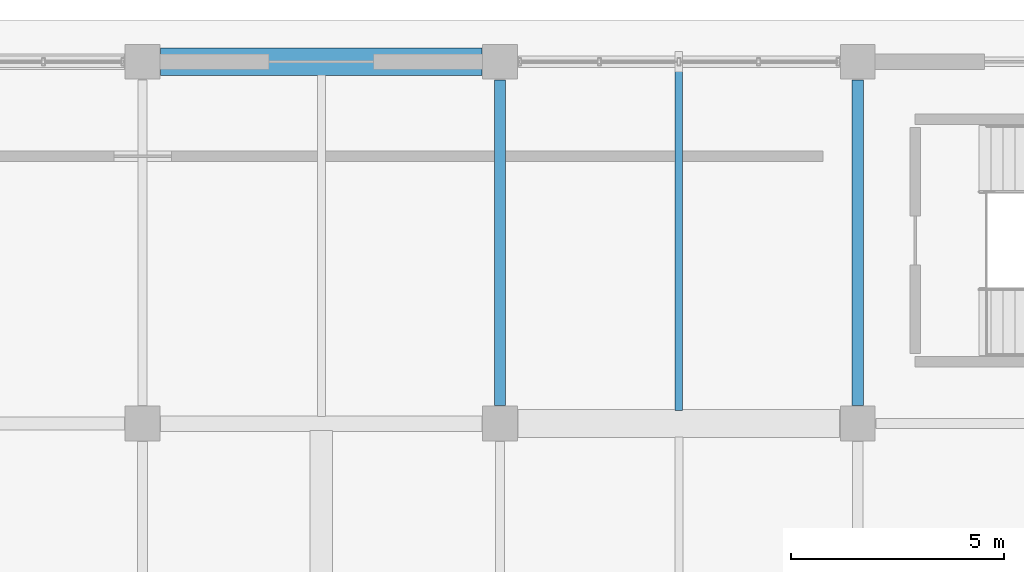
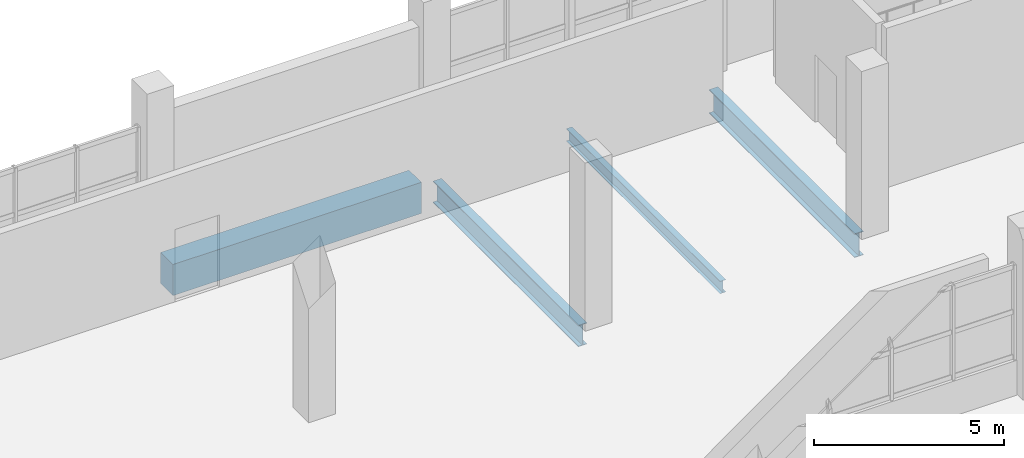
# One storey, part 68 of 107: 4 beams.
"""IFC4 building model written with IfcOpenShell, lengths in metres."""

import ifcopenshell
import ifcopenshell.guid

model = None  # the IFC model being written
_history = None  # IfcOwnerHistory: only IFC2X3 demands one
_inside = {}  # id of a spatial element -> (the spatial element, [elements in it])
_under = {}  # id of a project, library or spatial element -> (it, [spatial elements below it])
_declared = {}  # id of a project -> (the project, [libraries it declares])
_typed = {}  # id of a type object -> (the type object, [elements of that type])
_made_of = {}  # id of a material, layer set ... -> (it, [elements and type objects made of it])


def new_model(schema):
    """Start an empty IFC model of exactly this schema.

    Asked for "IFC4X3", IfcOpenShell would pick the latest addendum, in which some entities
    have other attributes; the version numbers below select the first issue.
    IFC2X3 requires an IfcOwnerHistory on every rooted entity: one is made here for all.
    """
    global model, _history
    if schema == "IFC4X3":
        model = ifcopenshell.file(schema_version=(4, 3, 0, 0))
    else:
        model = ifcopenshell.file(schema=schema)
    _inside.clear()
    _under.clear()
    _declared.clear()
    _typed.clear()
    _made_of.clear()
    _history = None
    if model.schema == "IFC2X3":
        org = make("IfcOrganization", Name="unknown")
        user = make(
            "IfcPersonAndOrganization",
            ThePerson=make("IfcPerson", FamilyName="unknown"),
            TheOrganization=org,
        )
        app = make(
            "IfcApplication",
            ApplicationDeveloper=org,
            Version="unknown",
            ApplicationFullName="unknown",
            ApplicationIdentifier="unknown",
        )
        _history = make(
            "IfcOwnerHistory",
            OwningUser=user,
            OwningApplication=app,
            ChangeAction="ADDED",
            CreationDate=0,
        )
    return model


def make(cls, **values):
    """One entity of the class cls with the attributes given. An attribute that is None is left unset."""
    return model.create_entity(
        cls, **{name: value for name, value in values.items() if value is not None}
    )


def rooted(cls, **values):
    """An entity with a GlobalId (a new one), such as an element, a storey or a relation."""
    return make(cls, GlobalId=ifcopenshell.guid.new(), OwnerHistory=_history, **values)


def si_unit(unit_type, name, prefix=None):
    """IfcSIUnit, for example si_unit("LENGTHUNIT", "METRE", prefix="MILLI")."""
    return make("IfcSIUnit", UnitType=unit_type, Prefix=prefix, Name=name)


def assignment(units):
    """IfcUnitAssignment: the units of a project."""
    return None if units is None else make("IfcUnitAssignment", Units=units)


def point(xyz):
    """IfcCartesianPoint."""
    return None if xyz is None else make("IfcCartesianPoint", Coordinates=xyz)


def direction(xyz):
    """IfcDirection."""
    return None if xyz is None else make("IfcDirection", DirectionRatios=xyz)


def frame(location, z_axis=None, x_axis=None):
    """IfcAxis2Placement3D, a coordinate frame: its origin and axes. An axis left out is left unset."""
    return make(
        "IfcAxis2Placement3D",
        Location=point(location),
        Axis=direction(z_axis),
        RefDirection=direction(x_axis),
    )


def frame_2d(location, x_axis=None):
    """IfcAxis2Placement2D, a coordinate frame in the plane: its origin and x axis."""
    return make(
        "IfcAxis2Placement2D", Location=point(location), RefDirection=direction(x_axis)
    )


def origin():
    """The frame at (0, 0, 0) with its axes left unset."""
    return frame((0.0, 0.0, 0.0))


def origin_2d():
    """The frame at (0, 0) in the plane with its x axis left unset."""
    return frame_2d((0.0, 0.0))


def place(relative_to, where):
    """IfcLocalPlacement: puts the frame where relative to a parent placement (None: the world)."""
    return make(
        "IfcLocalPlacement", PlacementRelTo=relative_to, RelativePlacement=where
    )


def context(
    kind, dimensions, precision=None, world=None, true_north=None, identifier=None
):
    """IfcGeometricRepresentationContext, for example the 3D "Model" context."""
    return make(
        "IfcGeometricRepresentationContext",
        ContextIdentifier=identifier,
        ContextType=kind,
        CoordinateSpaceDimension=dimensions,
        Precision=precision,
        WorldCoordinateSystem=world,
        TrueNorth=true_north,
    )


def subcontext(parent, identifier, kind, view, scale=None):
    """IfcGeometricRepresentationSubContext, for example "Body" below "Model"."""
    return make(
        "IfcGeometricRepresentationSubContext",
        ContextIdentifier=identifier,
        ContextType=kind,
        ParentContext=parent,
        TargetScale=scale,
        TargetView=view,
    )


def project(units=None, contexts=None):
    """IfcProject with its units and contexts."""
    return rooted(
        "IfcProject",
        Name="project",
        RepresentationContexts=contexts,
        UnitsInContext=assignment(units),
    )


def spatial(cls, under=None, at=None, **own):
    """A site, building, storey or space (cls), placed at a placement, below another one or the project."""
    s = rooted(cls, ObjectPlacement=at, **own)
    if under is not None:
        _under.setdefault(under.id(), (under, []))[1].append(s)
    return s


def profile(cls, at=None, kind="AREA", **sizes):
    """A parametric profile (cls). Its sizes go by their IFC names, for example OverallWidth=200.0."""
    return make(cls, ProfileType=kind, Position=at, **sizes)


def rectangle(**sizes):
    """IfcRectangleProfileDef."""
    return profile("IfcRectangleProfileDef", **sizes)


def i_section(**sizes):
    """IfcIShapeProfileDef."""
    return profile("IfcIShapeProfileDef", **sizes)


def extrude(swept, where, along, depth):
    """IfcExtrudedAreaSolid: the profile swept, set in the frame where, extruded along a direction by depth."""
    return make(
        "IfcExtrudedAreaSolid",
        SweptArea=swept,
        Position=where,
        ExtrudedDirection=direction(along),
        Depth=depth,
    )


def shape(context_of_items, identifier, shape_type, items):
    """IfcShapeRepresentation: the items that make up one representation, for example the "Body"."""
    return make(
        "IfcShapeRepresentation",
        ContextOfItems=context_of_items,
        RepresentationIdentifier=identifier,
        RepresentationType=shape_type,
        Items=items,
    )


def material(Name=None, Category=None):
    """IfcMaterial."""
    return make("IfcMaterial", Name=Name, Category=Category)


def material_profile(
    of_material, cross_section, Name=None, Category=None, Priority=None
):
    """IfcMaterialProfile: a cross section and its material."""
    return make(
        "IfcMaterialProfile",
        Name=Name,
        Material=of_material,
        Profile=cross_section,
        Priority=Priority,
        Category=Category,
    )


def profile_set(profiles, Name=None, composite=None):
    """IfcMaterialProfileSet."""
    return make(
        "IfcMaterialProfileSet",
        Name=Name,
        MaterialProfiles=profiles,
        CompositeProfile=composite,
    )


def made_of(thing, what):
    """Note that an element or type object is made of a material, layer set ...; save() writes the relation."""
    if what is not None:
        _made_of.setdefault(what.id(), (what, []))[1].append(thing)
    return thing


def type_object(cls, material=None, **own):
    """A type object (cls), such as IfcWallType, which elements share."""
    return made_of(rooted(cls, **own), material)


def element(
    cls,
    number,
    at=None,
    inside=None,
    cuts=None,
    type_object=None,
    material=None,
    context=None,
    identifier="Body",
    shape_type=None,
    held_by="IfcProductDefinitionShape",
    body=None,
    shapes=None,
    **own,
):
    """One element of the class cls, such as IfcWall. Its Tag is "e" and its number.

    at: its placement. inside: the storey or other place that contains it. cuts: it is an
    opening in that element (IfcRelVoidsElement). A single representation is given by context,
    identifier, shape_type and body (its items); several are given by shapes. held_by: the class
    of the entity that holds the representations. save() writes the other relations.
    """
    e = rooted(cls, Tag="e%d" % number, ObjectPlacement=at, **own)
    if body is not None:
        shapes = [shape(context, identifier, shape_type, body)]
    if shapes is not None:
        e.Representation = make(held_by, Representations=shapes)
    if inside is not None:
        _inside.setdefault(inside.id(), (inside, []))[1].append(e)
    if cuts is not None:
        rooted(
            "IfcRelVoidsElement", RelatingBuildingElement=cuts, RelatedOpeningElement=e
        )
    if type_object is not None:
        _typed.setdefault(type_object.id(), (type_object, []))[1].append(e)
    return made_of(e, material)


def aggregate(whole, parts):
    """IfcRelAggregates: a whole, such as a stair, and the parts it consists of."""
    return rooted("IfcRelAggregates", RelatingObject=whole, RelatedObjects=parts)


def save(model, path):
    """Write the relations noted so far, then the file.

    IfcRelAggregates (storeys below a building ...), IfcRelContainedInSpatialStructure (elements
    in a storey), IfcRelDefinesByType, IfcRelAssociatesMaterial and IfcRelDeclares: one each for
    every whole, place, type object, material and project.
    """
    for whole, parts in _under.values():
        aggregate(whole, parts)
    for where, things in _inside.values():
        rooted(
            "IfcRelContainedInSpatialStructure",
            RelatedElements=things,
            RelatingStructure=where,
        )
    for kind, things in _typed.values():
        rooted("IfcRelDefinesByType", RelatedObjects=things, RelatingType=kind)
    for what, things in _made_of.values():
        rooted("IfcRelAssociatesMaterial", RelatedObjects=things, RelatingMaterial=what)
    for by, libraries in _declared.values():
        rooted("IfcRelDeclares", RelatingContext=by, RelatedDefinitions=libraries)
    model.write(path)


model = new_model("IFC4")

# Units and contexts
model_context = context("Model", 3, precision=1e-05, world=origin(), true_north=direction((0.0, 1.0)))
body_context = subcontext(model_context, "Body", "Model", "MODEL_VIEW")
ifc_project = project(units=[si_unit("LENGTHUNIT", "METRE"), si_unit("AREAUNIT", "SQUARE_METRE"), si_unit("VOLUMEUNIT", "CUBIC_METRE"), si_unit("PLANEANGLEUNIT", "RADIAN"), si_unit("MASSUNIT", "GRAM", prefix="KILO")], contexts=[model_context])

# Site, building, storey
site_placement = place(None, origin())
site = spatial("IfcSite", under=ifc_project, at=site_placement, CompositionType="ELEMENT")
building_placement = place(site_placement, origin())
building = spatial("IfcBuilding", under=site, at=building_placement, Name="Solvento Point Concert Hall", CompositionType="ELEMENT")
storey_placement = place(building_placement, origin())
storey = spatial("IfcBuildingStorey", under=building, at=storey_placement, Name="L00", CompositionType="ELEMENT", Elevation=0.0)

# Beams
ifc_material_1 = material(Name="Concrete C35/45", Category="concrete")
ifc_material_profile_1 = material_profile(ifc_material_1, rectangle(XDim=0.64990234375, YDim=1.0, at=origin_2d()), Name="RC-BM-650X1000")
ifc_profile_set_1 = profile_set([ifc_material_profile_1], Name="Concrete C35/45")
beam_type_1 = type_object("IfcBeamType", Name="Girder_RC_650x1000", PredefinedType="USERDEFINED", material=ifc_profile_set_1)
beam_1_placement = place(storey_placement, frame((41.22412109375, 136.0, -0.9140625), z_axis=(1.0, 0.0, 0.0), x_axis=(0.0, 1.0, 0.0)))
element("IfcBeam", 1, at=beam_1_placement, inside=storey, type_object=beam_type_1, Name="Primary girder B-67 L00", ObjectType="GIRDER", PredefinedType="USERDEFINED", context=body_context, shape_type="SweptSolid", body=[
    extrude(rectangle(XDim=0.64990234375, YDim=1.0, at=origin_2d()), origin(), (0.0, 0.0, 1.0), 7.5517578125),
])
ifc_material_2 = material(Name="Structural Steel ASTM A992 Grade 50", Category="steel")
ifc_material_profile_2 = material_profile(ifc_material_2, i_section(OverallWidth=0.256103515625, OverallDepth=0.693115234375, WebThickness=0.014404296875, FlangeThickness=0.023681640625, at=origin_2d()), Name="W27X114")
ifc_profile_set_2 = profile_set([ifc_material_profile_2], Name="Structural Steel ASTM A992 Grade 50")
beam_type_2 = type_object("IfcBeamType", Name="Girder_W27X114", PredefinedType="USERDEFINED", material=ifc_profile_set_2)
beam_2_placement = place(storey_placement, frame((49.199951171875, 127.924072265625, -0.760498046875), z_axis=(0.0, 1.0, 0.0), x_axis=(-1.0, 0.0, 0.0)))
element("IfcBeam", 2, at=beam_2_placement, inside=storey, type_object=beam_type_2, Name="Primary girder B-23 L00", ObjectType="GIRDER", PredefinedType="USERDEFINED", context=body_context, shape_type="SweptSolid", body=[
    extrude(i_section(OverallWidth=0.256103515625, OverallDepth=0.693115234375, WebThickness=0.014404296875, FlangeThickness=0.023681640625, at=origin_2d()), origin(), (0.0, 0.0, 1.0), 7.65185546875),
])
ifc_material_3 = material(Name="Structural Steel ASTM A992 Grade 50", Category="steel")
ifc_material_profile_3 = material_profile(ifc_material_3, i_section(OverallWidth=0.26806640625, OverallDepth=0.77001953125, WebThickness=0.015625, FlangeThickness=0.025390625, at=origin_2d()), Name="W30X132")
ifc_profile_set_3 = profile_set([ifc_material_profile_3], Name="Structural Steel ASTM A992 Grade 50")
beam_type_3 = type_object("IfcBeamType", Name="Girder_W30X132", PredefinedType="USERDEFINED", material=ifc_profile_set_3)
beam_3_placement = place(storey_placement, frame((57.60009765625, 127.924072265625, -0.799072265625), z_axis=(0.0, 1.0, 0.0), x_axis=(-1.0, 0.0, 0.0)))
element("IfcBeam", 3, at=beam_3_placement, inside=storey, type_object=beam_type_3, Name="Primary girder B-68 L00", ObjectType="GIRDER", PredefinedType="USERDEFINED", context=body_context, shape_type="SweptSolid", body=[
    extrude(i_section(OverallWidth=0.26806640625, OverallDepth=0.77001953125, WebThickness=0.015625, FlangeThickness=0.025390625, at=origin_2d()), origin(), (0.0, 0.0, 1.0), 7.65185546875),
])
ifc_material_4 = material(Name="Structural Steel ASTM A992 Grade 50", Category="steel")
ifc_material_profile_4 = material_profile(ifc_material_4, i_section(OverallWidth=0.177490234375, OverallDepth=0.403076171875, WebThickness=0.007568359375, FlangeThickness=0.010986328125, at=origin_2d()), Name="W16X36")
ifc_profile_set_4 = profile_set([ifc_material_profile_4], Name="Structural Steel ASTM A992 Grade 50")
beam_type_4 = type_object("IfcBeamType", Name="Joist_W16X36", PredefinedType="JOIST", material=ifc_profile_set_4)
beam_4_placement = place(storey_placement, frame((53.39990234375, 127.81005859375, -0.615478515625), z_axis=(0.0, 1.0, 0.0), x_axis=(-1.0, 0.0, 0.0)))
element("IfcBeam", 4, at=beam_4_placement, inside=storey, type_object=beam_type_4, Name="Secondary floor joist B-30 L00", PredefinedType="JOIST", context=body_context, shape_type="SweptSolid", body=[
    extrude(i_section(OverallWidth=0.177490234375, OverallDepth=0.403076171875, WebThickness=0.007568359375, FlangeThickness=0.010986328125, at=origin_2d()), origin(), (0.0, 0.0, 1.0), 8.090576171875),
])

save(model, "model.ifc")
